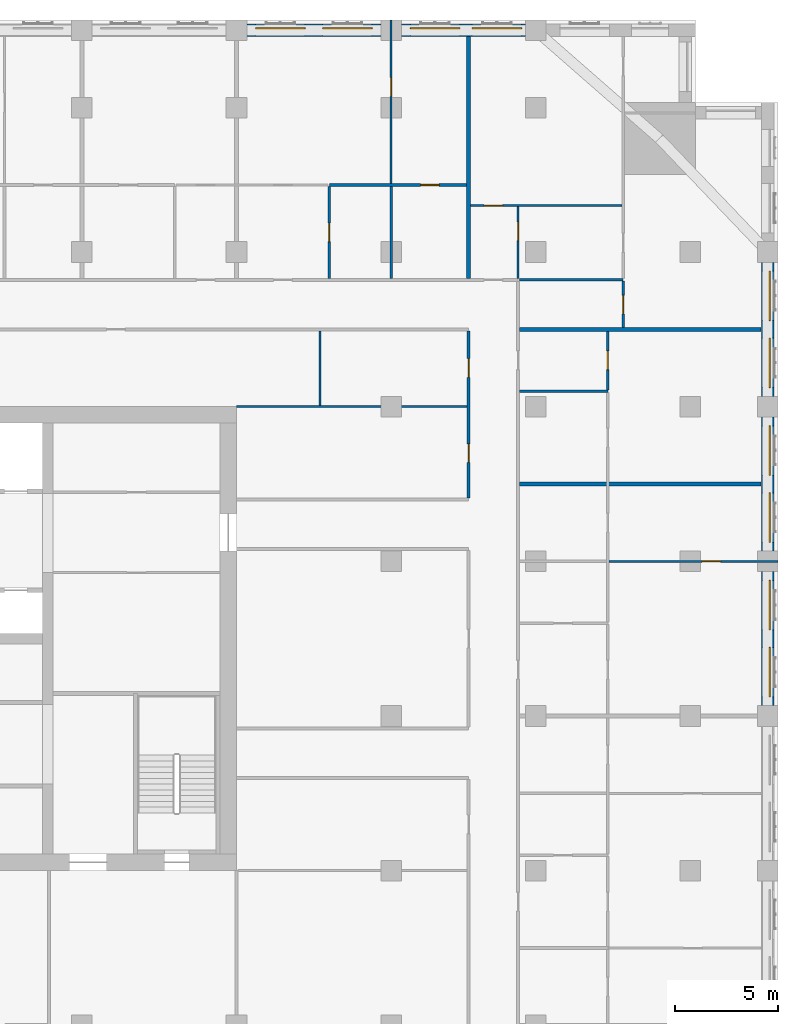
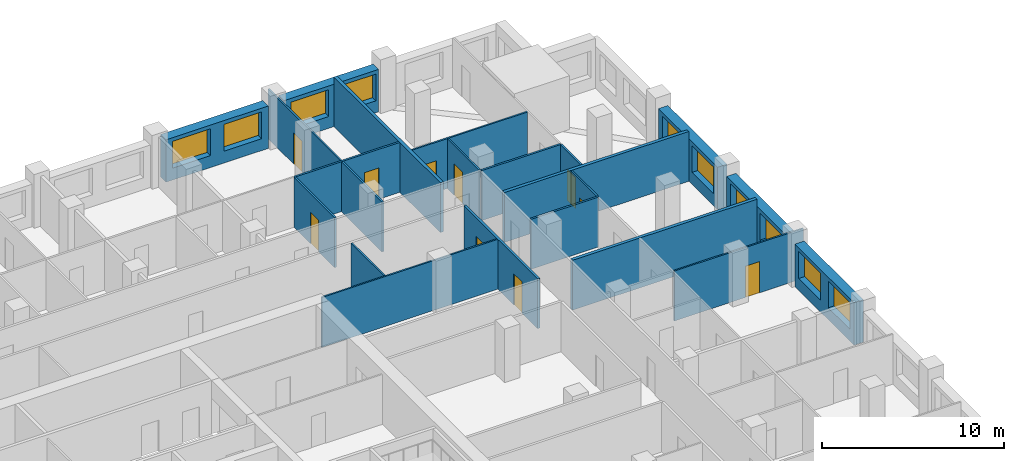
# One storey, part 10 of 13: 22 walls, 10 doors, 10 windows, 20 openings.
"""IFC4 building model written with IfcOpenShell, lengths in metres."""

from ifc_helpers import new_model, si_unit, direction, frame, frame_2d, origin, place, context, subcontext, project, spatial, rectangle, extrude, material, layer, layer_set, type_object, element, fill, save


model = new_model("IFC4")

# Units and contexts
model_context = context("Model", 3, precision=1e-05, world=origin(), true_north=direction((0.0, 1.0)))
body_context = subcontext(model_context, "Body", "Model", "MODEL_VIEW")
ifc_project = project(units=[si_unit("LENGTHUNIT", "METRE"), si_unit("AREAUNIT", "SQUARE_METRE"), si_unit("VOLUMEUNIT", "CUBIC_METRE"), si_unit("PLANEANGLEUNIT", "RADIAN"), si_unit("MASSUNIT", "GRAM", prefix="KILO")], contexts=[model_context])

# Site, building, storey
site_placement = place(None, origin())
site = spatial("IfcSite", under=ifc_project, at=site_placement, CompositionType="ELEMENT")
building_placement = place(site_placement, origin())
building = spatial("IfcBuilding", under=site, at=building_placement, Name="Tamorin Gate", CompositionType="ELEMENT")
storey_placement = place(building_placement, frame((0.0, 0.0, 159.0)))
storey = spatial("IfcBuildingStorey", under=building, at=storey_placement, Name="L39", CompositionType="ELEMENT", Elevation=159.0)

# Wall, openings, windows
ifc_material_1 = material(Name="Precast concrete C40/50", Category="concrete")
ifc_layer_1 = layer(ifc_material_1, 0.60009765625)
ifc_layer_set_1 = layer_set([ifc_layer_1], Name="Precast concrete C40/50")
wall_type_1 = type_object("IfcWallType", Name="Board-marked concrete facade panel 600", PredefinedType="SOLIDWALL", material=ifc_layer_set_1)
wall_1_placement = place(storey_placement, frame((85.75, 68.0, 0.0), z_axis=(0.0, 0.0, 1.0), x_axis=(0.0, 1.0, 0.0)))
wall_1 = element("IfcWall", 1, at=wall_1_placement, inside=storey, type_object=wall_type_1, Name="Facade panel", PredefinedType="SOLIDWALL", context=body_context, shape_type="SweptSolid", body=[
    extrude(rectangle(XDim=6.5, YDim=0.60009765625, at=frame_2d((3.25, 0.0))), origin(), (0.0, 0.0, 1.0), 2.85009765625),
])
opening_1_placement = place(wall_1_placement, frame((0.425048828125, 0.0, 0.800048828125)))
opening_1 = element("IfcOpeningElement", 2, at=opening_1_placement, cuts=wall_1, Name="Opening WN1", PredefinedType="OPENING", context=body_context, shape_type="SweptSolid", body=[
    extrude(rectangle(XDim=2.39990234375, YDim=1.800048828125, at=frame_2d((1.199951171875, 0.89990234375))), frame((0.0, 0.31005859375, 0.0), z_axis=(0.0, -1.0, 0.0), x_axis=(1.0, 0.0, 0.0)), (0.0, 0.0, 1.0), 0.6201171875),
])
opening_2_placement = place(wall_1_placement, frame((3.675048828125, 0.0, 0.800048828125)))
opening_2 = element("IfcOpeningElement", 3, at=opening_2_placement, cuts=wall_1, Name="Opening WN1", PredefinedType="OPENING", context=body_context, shape_type="SweptSolid", body=[
    extrude(rectangle(XDim=2.39990234375, YDim=1.800048828125, at=frame_2d((1.199951171875, 0.89990234375))), frame((0.0, 0.31005859375, 0.0), z_axis=(0.0, -1.0, 0.0), x_axis=(1.0, 0.0, 0.0)), (0.0, 0.0, 1.0), 0.6201171875),
])
ifc_material_2 = material(Name="Clear glass in aluminium frame", Category="aluminium")
window_type = type_object("IfcWindowType", Name="Deep-set window 2400x1800", PartitioningType="SINGLE_PANEL", PredefinedType="WINDOW", material=ifc_material_2)
window_1_placement = place(opening_1_placement, origin())
window_1 = element("IfcWindow", 4, at=window_1_placement, inside=storey, type_object=window_type, Name="Deep-set window", OverallHeight=1.800048828125, OverallWidth=2.39990234375, PartitioningType="SINGLE_PANEL", PredefinedType="WINDOW", context=body_context, shape_type="SweptSolid", body=[
    extrude(rectangle(XDim=2.39990234375, YDim=1.800048828125, at=frame_2d((1.199951171875, 0.89990234375))), frame((0.0, -0.070068359375, 0.0), z_axis=(0.0, -1.0, 0.0), x_axis=(1.0, 0.0, 0.0)), (0.0, 0.0, 1.0), 0.06005859375),
])
fill(opening_1, window_1)
window_2_placement = place(opening_2_placement, origin())
window_2 = element("IfcWindow", 5, at=window_2_placement, inside=storey, type_object=window_type, Name="Deep-set window", OverallHeight=1.800048828125, OverallWidth=2.39990234375, PartitioningType="SINGLE_PANEL", PredefinedType="WINDOW", context=body_context, shape_type="SweptSolid", body=[
    extrude(rectangle(XDim=2.39990234375, YDim=1.800048828125, at=frame_2d((1.199951171875, 0.89990234375))), frame((0.0, -0.070068359375, 0.0), z_axis=(0.0, -1.0, 0.0), x_axis=(1.0, 0.0, 0.0)), (0.0, 0.0, 1.0), 0.06005859375),
])
fill(opening_2, window_2)

wall_2_placement = place(storey_placement, frame((85.75, 75.5, 0.0), z_axis=(0.0, 0.0, 1.0), x_axis=(0.0, 1.0, 0.0)))
wall_2 = element("IfcWall", 6, at=wall_2_placement, inside=storey, type_object=wall_type_1, Name="Facade panel", PredefinedType="SOLIDWALL", context=body_context, shape_type="SweptSolid", body=[
    extrude(rectangle(XDim=6.5, YDim=0.60009765625, at=frame_2d((3.25, 0.0))), origin(), (0.0, 0.0, 1.0), 2.85009765625),
])
opening_3_placement = place(wall_2_placement, frame((0.425048828125, 0.0, 0.800048828125)))
opening_3 = element("IfcOpeningElement", 7, at=opening_3_placement, cuts=wall_2, Name="Opening WN1", PredefinedType="OPENING", context=body_context, shape_type="SweptSolid", body=[
    extrude(rectangle(XDim=2.39990234375, YDim=1.800048828125, at=frame_2d((1.199951171875, 0.89990234375))), frame((0.0, 0.31005859375, 0.0), z_axis=(0.0, -1.0, 0.0), x_axis=(1.0, 0.0, 0.0)), (0.0, 0.0, 1.0), 0.6201171875),
])
opening_4_placement = place(wall_2_placement, frame((3.675048828125, 0.0, 0.800048828125)))
opening_4 = element("IfcOpeningElement", 8, at=opening_4_placement, cuts=wall_2, Name="Opening WN1", PredefinedType="OPENING", context=body_context, shape_type="SweptSolid", body=[
    extrude(rectangle(XDim=2.39990234375, YDim=1.800048828125, at=frame_2d((1.199951171875, 0.89990234375))), frame((0.0, 0.31005859375, 0.0), z_axis=(0.0, -1.0, 0.0), x_axis=(1.0, 0.0, 0.0)), (0.0, 0.0, 1.0), 0.6201171875),
])
window_3_placement = place(opening_3_placement, origin())
window_3 = element("IfcWindow", 9, at=window_3_placement, inside=storey, type_object=window_type, Name="Deep-set window", OverallHeight=1.800048828125, OverallWidth=2.39990234375, PartitioningType="SINGLE_PANEL", PredefinedType="WINDOW", context=body_context, shape_type="SweptSolid", body=[
    extrude(rectangle(XDim=2.39990234375, YDim=1.800048828125, at=frame_2d((1.199951171875, 0.89990234375))), frame((0.0, -0.070068359375, 0.0), z_axis=(0.0, -1.0, 0.0), x_axis=(1.0, 0.0, 0.0)), (0.0, 0.0, 1.0), 0.06005859375),
])
fill(opening_3, window_3)
window_4_placement = place(opening_4_placement, origin())
window_4 = element("IfcWindow", 10, at=window_4_placement, inside=storey, type_object=window_type, Name="Deep-set window", OverallHeight=1.800048828125, OverallWidth=2.39990234375, PartitioningType="SINGLE_PANEL", PredefinedType="WINDOW", context=body_context, shape_type="SweptSolid", body=[
    extrude(rectangle(XDim=2.39990234375, YDim=1.800048828125, at=frame_2d((1.199951171875, 0.89990234375))), frame((0.0, -0.070068359375, 0.0), z_axis=(0.0, -1.0, 0.0), x_axis=(1.0, 0.0, 0.0)), (0.0, 0.0, 1.0), 0.06005859375),
])
fill(opening_4, window_4)

wall_3_placement = place(storey_placement, frame((85.75, 83.0, 0.0), z_axis=(0.0, 0.0, 1.0), x_axis=(0.0, 1.0, 0.0)))
wall_3 = element("IfcWall", 11, at=wall_3_placement, inside=storey, type_object=wall_type_1, Name="Facade panel", PredefinedType="SOLIDWALL", context=body_context, shape_type="SweptSolid", body=[
    extrude(rectangle(XDim=6.5, YDim=0.60009765625, at=frame_2d((3.25, 0.0))), origin(), (0.0, 0.0, 1.0), 2.85009765625),
])
opening_5_placement = place(wall_3_placement, frame((0.425048828125, 0.0, 0.800048828125)))
opening_5 = element("IfcOpeningElement", 12, at=opening_5_placement, cuts=wall_3, Name="Opening WN1", PredefinedType="OPENING", context=body_context, shape_type="SweptSolid", body=[
    extrude(rectangle(XDim=2.39990234375, YDim=1.800048828125, at=frame_2d((1.199951171875, 0.89990234375))), frame((0.0, 0.31005859375, 0.0), z_axis=(0.0, -1.0, 0.0), x_axis=(1.0, 0.0, 0.0)), (0.0, 0.0, 1.0), 0.6201171875),
])
opening_6_placement = place(wall_3_placement, frame((3.675048828125, 0.0, 0.800048828125)))
opening_6 = element("IfcOpeningElement", 13, at=opening_6_placement, cuts=wall_3, Name="Opening WN1", PredefinedType="OPENING", context=body_context, shape_type="SweptSolid", body=[
    extrude(rectangle(XDim=2.39990234375, YDim=1.800048828125, at=frame_2d((1.199951171875, 0.89990234375))), frame((0.0, 0.31005859375, 0.0), z_axis=(0.0, -1.0, 0.0), x_axis=(1.0, 0.0, 0.0)), (0.0, 0.0, 1.0), 0.6201171875),
])
window_5_placement = place(opening_5_placement, origin())
window_5 = element("IfcWindow", 14, at=window_5_placement, inside=storey, type_object=window_type, Name="Deep-set window", OverallHeight=1.800048828125, OverallWidth=2.39990234375, PartitioningType="SINGLE_PANEL", PredefinedType="WINDOW", context=body_context, shape_type="SweptSolid", body=[
    extrude(rectangle(XDim=2.39990234375, YDim=1.800048828125, at=frame_2d((1.199951171875, 0.89990234375))), frame((0.0, -0.070068359375, 0.0), z_axis=(0.0, -1.0, 0.0), x_axis=(1.0, 0.0, 0.0)), (0.0, 0.0, 1.0), 0.06005859375),
])
fill(opening_5, window_5)
window_6_placement = place(opening_6_placement, origin())
window_6 = element("IfcWindow", 15, at=window_6_placement, inside=storey, type_object=window_type, Name="Deep-set window", OverallHeight=1.800048828125, OverallWidth=2.39990234375, PartitioningType="SINGLE_PANEL", PredefinedType="WINDOW", context=body_context, shape_type="SweptSolid", body=[
    extrude(rectangle(XDim=2.39990234375, YDim=1.800048828125, at=frame_2d((1.199951171875, 0.89990234375))), frame((0.0, -0.070068359375, 0.0), z_axis=(0.0, -1.0, 0.0), x_axis=(1.0, 0.0, 0.0)), (0.0, 0.0, 1.0), 0.06005859375),
])
fill(opening_6, window_6)

wall_4_placement = place(storey_placement, frame((74.0, 100.75, 0.0), z_axis=(0.0, 0.0, 1.0), x_axis=(-1.0, 0.0, 0.0)))
wall_4 = element("IfcWall", 16, at=wall_4_placement, inside=storey, type_object=wall_type_1, Name="Facade panel", PredefinedType="SOLIDWALL", context=body_context, shape_type="SweptSolid", body=[
    extrude(rectangle(XDim=6.0, YDim=0.60009765625, at=frame_2d((3.0, 0.0))), origin(), (0.0, 0.0, 1.0), 2.85009765625),
])
opening_7_placement = place(wall_4_placement, frame((3.175048828125, 0.0, 0.800048828125)))
opening_7 = element("IfcOpeningElement", 17, at=opening_7_placement, cuts=wall_4, Name="Opening WN1", PredefinedType="OPENING", context=body_context, shape_type="SweptSolid", body=[
    extrude(rectangle(XDim=2.39990234375, YDim=1.800048828125, at=frame_2d((1.199951171875, 0.89990234375))), frame((0.0, 0.31005859375, 0.0), z_axis=(0.0, -1.0, 0.0), x_axis=(1.0, 0.0, 0.0)), (0.0, 0.0, 1.0), 0.6201171875),
])
opening_8_placement = place(wall_4_placement, frame((0.175048828125, 0.0, 0.800048828125)))
opening_8 = element("IfcOpeningElement", 18, at=opening_8_placement, cuts=wall_4, Name="Opening WN1", PredefinedType="OPENING", context=body_context, shape_type="SweptSolid", body=[
    extrude(rectangle(XDim=2.39990234375, YDim=1.800048828125, at=frame_2d((1.199951171875, 0.89990234375))), frame((0.0, 0.31005859375, 0.0), z_axis=(0.0, -1.0, 0.0), x_axis=(1.0, 0.0, 0.0)), (0.0, 0.0, 1.0), 0.6201171875),
])
window_7_placement = place(opening_7_placement, origin())
window_7 = element("IfcWindow", 19, at=window_7_placement, inside=storey, type_object=window_type, Name="Deep-set window", OverallHeight=1.800048828125, OverallWidth=2.39990234375, PartitioningType="SINGLE_PANEL", PredefinedType="WINDOW", context=body_context, shape_type="SweptSolid", body=[
    extrude(rectangle(XDim=2.39990234375, YDim=1.800048828125, at=frame_2d((1.199951171875, 0.89990234375))), frame((0.0, -0.070068359375, 0.0), z_axis=(0.0, -1.0, 0.0), x_axis=(1.0, 0.0, 0.0)), (0.0, 0.0, 1.0), 0.06005859375),
])
fill(opening_7, window_7)
window_8_placement = place(opening_8_placement, origin())
window_8 = element("IfcWindow", 20, at=window_8_placement, inside=storey, type_object=window_type, Name="Deep-set window", OverallHeight=1.800048828125, OverallWidth=2.39990234375, PartitioningType="SINGLE_PANEL", PredefinedType="WINDOW", context=body_context, shape_type="SweptSolid", body=[
    extrude(rectangle(XDim=2.39990234375, YDim=1.800048828125, at=frame_2d((1.199951171875, 0.89990234375))), frame((0.0, -0.070068359375, 0.0), z_axis=(0.0, -1.0, 0.0), x_axis=(1.0, 0.0, 0.0)), (0.0, 0.0, 1.0), 0.06005859375),
])
fill(opening_8, window_8)

wall_5_placement = place(storey_placement, frame((67.0, 100.75, 0.0), z_axis=(0.0, 0.0, 1.0), x_axis=(-1.0, 0.0, 0.0)))
wall_5 = element("IfcWall", 21, at=wall_5_placement, inside=storey, type_object=wall_type_1, Name="Facade panel", PredefinedType="SOLIDWALL", context=body_context, shape_type="SweptSolid", body=[
    extrude(rectangle(XDim=6.5, YDim=0.60009765625, at=frame_2d((3.25, 0.0))), origin(), (0.0, 0.0, 1.0), 2.85009765625),
])
opening_9_placement = place(wall_5_placement, frame((3.675048828125, 0.0, 0.800048828125)))
opening_9 = element("IfcOpeningElement", 22, at=opening_9_placement, cuts=wall_5, Name="Opening WN1", PredefinedType="OPENING", context=body_context, shape_type="SweptSolid", body=[
    extrude(rectangle(XDim=2.39990234375, YDim=1.800048828125, at=frame_2d((1.199951171875, 0.89990234375))), frame((0.0, 0.31005859375, 0.0), z_axis=(0.0, -1.0, 0.0), x_axis=(1.0, 0.0, 0.0)), (0.0, 0.0, 1.0), 0.6201171875),
])
opening_10_placement = place(wall_5_placement, frame((0.425048828125, 0.0, 0.800048828125)))
opening_10 = element("IfcOpeningElement", 23, at=opening_10_placement, cuts=wall_5, Name="Opening WN1", PredefinedType="OPENING", context=body_context, shape_type="SweptSolid", body=[
    extrude(rectangle(XDim=2.39990234375, YDim=1.800048828125, at=frame_2d((1.199951171875, 0.89990234375))), frame((0.0, 0.31005859375, 0.0), z_axis=(0.0, -1.0, 0.0), x_axis=(1.0, 0.0, 0.0)), (0.0, 0.0, 1.0), 0.6201171875),
])
window_9_placement = place(opening_9_placement, origin())
window_9 = element("IfcWindow", 24, at=window_9_placement, inside=storey, type_object=window_type, Name="Deep-set window", OverallHeight=1.800048828125, OverallWidth=2.39990234375, PartitioningType="SINGLE_PANEL", PredefinedType="WINDOW", context=body_context, shape_type="SweptSolid", body=[
    extrude(rectangle(XDim=2.39990234375, YDim=1.800048828125, at=frame_2d((1.199951171875, 0.89990234375))), frame((0.0, -0.070068359375, 0.0), z_axis=(0.0, -1.0, 0.0), x_axis=(1.0, 0.0, 0.0)), (0.0, 0.0, 1.0), 0.06005859375),
])
fill(opening_9, window_9)
window_10_placement = place(opening_10_placement, origin())
window_10 = element("IfcWindow", 25, at=window_10_placement, inside=storey, type_object=window_type, Name="Deep-set window", OverallHeight=1.800048828125, OverallWidth=2.39990234375, PartitioningType="SINGLE_PANEL", PredefinedType="WINDOW", context=body_context, shape_type="SweptSolid", body=[
    extrude(rectangle(XDim=2.39990234375, YDim=1.800048828125, at=frame_2d((1.199951171875, 0.89990234375))), frame((0.0, -0.070068359375, 0.0), z_axis=(0.0, -1.0, 0.0), x_axis=(1.0, 0.0, 0.0)), (0.0, 0.0, 1.0), 0.06005859375),
])
fill(opening_10, window_10)

# Wall, openings, doors
ifc_material_3 = material(Name="Gypsum board partition")
ifc_layer_2 = layer(ifc_material_3, 0.14990234375)
ifc_layer_set_2 = layer_set([ifc_layer_2], Name="Corridor wall 150")
wall_type_2 = type_object("IfcWallType", Name="Corridor wall 150", PredefinedType="PARTITIONING", material=ifc_layer_set_2)
wall_6_placement = place(storey_placement, frame((71.25, 78.074951171875, 0.0), z_axis=(0.0, 0.0, 1.0), x_axis=(0.0, 1.0, 0.0)))
wall_6 = element("IfcWall", 26, at=wall_6_placement, inside=storey, type_object=wall_type_2, Name="Corridor wall 150", PredefinedType="PARTITIONING", context=body_context, shape_type="SweptSolid", body=[
    extrude(rectangle(XDim=8.10009765625, YDim=0.14990234375, at=frame_2d((4.050048828125, 0.0))), origin(), (0.0, 0.0, 1.0), 3.35009765625),
])
opening_11_placement = place(wall_6_placement, frame((5.85009765625, 0.0, 0.0)))
opening_11 = element("IfcOpeningElement", 27, at=opening_11_placement, cuts=wall_6, Name="Opening DS1069", PredefinedType="OPENING", context=body_context, shape_type="SweptSolid", body=[
    extrude(rectangle(XDim=0.89990234375, YDim=2.10009765625, at=frame_2d((0.449951171875, 1.050048828125))), frame((0.0, 0.0849609375, 0.0), z_axis=(0.0, -1.0, 0.0), x_axis=(1.0, 0.0, 0.0)), (0.0, 0.0, 1.0), 0.169921875),
])
opening_12_placement = place(wall_6_placement, frame((1.72509765625, 0.0, 0.0)))
opening_12 = element("IfcOpeningElement", 28, at=opening_12_placement, cuts=wall_6, Name="Opening DS1072", PredefinedType="OPENING", context=body_context, shape_type="SweptSolid", body=[
    extrude(rectangle(XDim=0.89990234375, YDim=2.10009765625, at=frame_2d((0.449951171875, 1.050048828125))), frame((0.0, 0.0849609375, 0.0), z_axis=(0.0, -1.0, 0.0), x_axis=(1.0, 0.0, 0.0)), (0.0, 0.0, 1.0), 0.169921875),
])
ifc_material_4 = material(Name="Timber door leaf", Category="wood")
door_type_1 = type_object("IfcDoorType", Name="Door 900 x 2100 FD30S", OperationType="NOTDEFINED", PredefinedType="DOOR", material=ifc_material_4)
door_1_placement = place(opening_11_placement, origin())
door_1 = element("IfcDoor", 29, at=door_1_placement, inside=storey, type_object=door_type_1, Name="Door DS1069", OperationType="SINGLE_SWING_LEFT", OverallHeight=2.10009765625, OverallWidth=0.89990234375, PredefinedType="DOOR", context=body_context, shape_type="SweptSolid", body=[
    extrude(rectangle(XDim=0.89990234375, YDim=2.10009765625, at=frame_2d((0.449951171875, 1.050048828125))), frame((0.0, 0.02490234375, 0.0), z_axis=(0.0, -1.0, 0.0), x_axis=(1.0, 0.0, 0.0)), (0.0, 0.0, 1.0), 0.050048828125),
])
fill(opening_11, door_1)
door_2_placement = place(opening_12_placement, origin())
door_2 = element("IfcDoor", 30, at=door_2_placement, inside=storey, type_object=door_type_1, Name="Door DS1072", OperationType="SINGLE_SWING_LEFT", OverallHeight=2.10009765625, OverallWidth=0.89990234375, PredefinedType="DOOR", context=body_context, shape_type="SweptSolid", body=[
    extrude(rectangle(XDim=0.89990234375, YDim=2.10009765625, at=frame_2d((0.449951171875, 1.050048828125))), frame((0.0, 0.02490234375, 0.0), z_axis=(0.0, -1.0, 0.0), x_axis=(1.0, 0.0, 0.0)), (0.0, 0.0, 1.0), 0.050048828125),
])
fill(opening_12, door_2)

# Walls
ifc_layer_3 = layer(ifc_material_3, 0.199951171875)
ifc_layer_set_3 = layer_set([ifc_layer_3], Name="Demising wall 200")
wall_type_3 = type_object("IfcWallType", Name="Demising wall 200", PredefinedType="PARTITIONING", material=ifc_layer_set_3)
for number, where, z_axis, x_axis, name in (
    (31, (73.72509765625, 78.75, 0.0), (0.0, 0.0, 1.0), (1.0, 0.0, 0.0), "Demising wall 200"),
    (32, (73.72509765625, 86.25, 0.0), (0.0, 0.0, 1.0), (1.0, 0.0, 0.0), "Demising wall 200"),
    (33, (71.25, 88.72509765625, 0.0), (0.0, 0.0, 1.0), (0.0, 1.0, 0.0), "Demising wall 200"),
):
    element("IfcWall", number, at=place(storey_placement, frame(where, z_axis=z_axis, x_axis=x_axis)), inside=storey, type_object=wall_type_3, Name=name, PredefinedType="PARTITIONING", context=body_context, shape_type="SweptSolid", body=[
        extrude(rectangle(XDim=11.71484375, YDim=0.199951171875, at=frame_2d((5.857421875, 0.0))), origin(), (0.0, 0.0, 1.0), 3.35009765625),
    ])

# Wall, opening, door
ifc_layer_4 = layer(ifc_material_3, 0.10009765625)
ifc_layer_set_4 = layer_set([ifc_layer_4], Name="Room partition 100")
wall_type_4 = type_object("IfcWallType", Name="Room partition 100", PredefinedType="PARTITIONING", material=ifc_layer_set_4)
wall_7_placement = place(storey_placement, frame((78.0625, 75.0, 0.0), z_axis=(0.0, 0.0, 1.0), x_axis=(1.0, 0.0, 0.0)))
wall_7 = element("IfcWall", 34, at=wall_7_placement, inside=storey, type_object=wall_type_4, Name="Room partition 100", PredefinedType="PARTITIONING", context=body_context, shape_type="SweptSolid", body=[
    extrude(rectangle(XDim=8.1875, YDim=0.10009765625, at=frame_2d((4.09375, 0.0))), origin(), (0.0, 0.0, 1.0), 3.35009765625),
])
opening_13_placement = place(wall_7_placement, frame((4.512451171875, 0.0, 0.0)))
opening_13 = element("IfcOpeningElement", 35, at=opening_13_placement, cuts=wall_7, Name="Opening DS1047", PredefinedType="OPENING", context=body_context, shape_type="SweptSolid", body=[
    extrude(rectangle(XDim=0.89990234375, YDim=2.10009765625, at=frame_2d((0.449951171875, 1.050048828125))), frame((0.0, 0.06005859375, 0.0), z_axis=(0.0, -1.0, 0.0), x_axis=(1.0, 0.0, 0.0)), (0.0, 0.0, 1.0), 0.1201171875),
])
door_type_2 = type_object("IfcDoorType", Name="Door 900 x 2100", OperationType="NOTDEFINED", PredefinedType="DOOR", material=ifc_material_4)
door_3_placement = place(opening_13_placement, origin())
door_3 = element("IfcDoor", 36, at=door_3_placement, inside=storey, type_object=door_type_2, Name="Door DS1047", OperationType="SINGLE_SWING_LEFT", OverallHeight=2.10009765625, OverallWidth=0.89990234375, PredefinedType="DOOR", context=body_context, shape_type="SweptSolid", body=[
    extrude(rectangle(XDim=0.89990234375, YDim=2.10009765625, at=frame_2d((0.449951171875, 1.050048828125))), frame((0.0, 0.02490234375, 0.0), z_axis=(0.0, -1.0, 0.0), x_axis=(1.0, 0.0, 0.0)), (0.0, 0.0, 1.0), 0.050048828125),
])
fill(opening_13, door_3)

# Wall
wall_8_placement = place(storey_placement, frame((60.0, 82.5, 0.0), z_axis=(0.0, 0.0, 1.0), x_axis=(1.0, 0.0, 0.0)))
element("IfcWall", 37, at=wall_8_placement, inside=storey, type_object=wall_type_4, Name="Room partition 100", PredefinedType="PARTITIONING", context=body_context, shape_type="SweptSolid", body=[
    extrude(rectangle(XDim=11.175048828125, YDim=0.10009765625, at=frame_2d((5.58740234375, 0.0))), origin(), (0.0, 0.0, 1.0), 3.35009765625),
])

# Wall, opening, door
wall_9_placement = place(storey_placement, frame((71.35009765625, 92.25, 0.0), z_axis=(0.0, 0.0, 1.0), x_axis=(1.0, 0.0, 0.0)))
wall_9 = element("IfcWall", 38, at=wall_9_placement, inside=storey, type_object=wall_type_4, Name="Room partition 100", PredefinedType="PARTITIONING", context=body_context, shape_type="SweptSolid", body=[
    extrude(rectangle(XDim=7.349853515625, YDim=0.10009765625, at=frame_2d((3.6748046875, 0.0))), origin(), (0.0, 0.0, 1.0), 3.35009765625),
])
opening_14_placement = place(wall_9_placement, frame((0.64990234375, 0.0, 0.0)))
opening_14 = element("IfcOpeningElement", 39, at=opening_14_placement, cuts=wall_9, Name="Opening DS1058", PredefinedType="OPENING", context=body_context, shape_type="SweptSolid", body=[
    extrude(rectangle(XDim=0.89990234375, YDim=2.10009765625, at=frame_2d((0.449951171875, 1.050048828125))), frame((0.0, 0.06005859375, 0.0), z_axis=(0.0, -1.0, 0.0), x_axis=(1.0, 0.0, 0.0)), (0.0, 0.0, 1.0), 0.1201171875),
])
door_4_placement = place(opening_14_placement, origin())
door_4 = element("IfcDoor", 40, at=door_4_placement, inside=storey, type_object=door_type_2, Name="Door DS1058", OperationType="SINGLE_SWING_LEFT", OverallHeight=2.10009765625, OverallWidth=0.89990234375, PredefinedType="DOOR", context=body_context, shape_type="SweptSolid", body=[
    extrude(rectangle(XDim=0.89990234375, YDim=2.10009765625, at=frame_2d((0.449951171875, 1.050048828125))), frame((0.0, 0.02490234375, 0.0), z_axis=(0.0, -1.0, 0.0), x_axis=(1.0, 0.0, 0.0)), (0.0, 0.0, 1.0), 0.050048828125),
])
fill(opening_14, door_4)

# Wall
wall_10_placement = place(storey_placement, frame((64.050048828125, 82.550048828125, 0.0), z_axis=(0.0, 0.0, 1.0), x_axis=(0.0, 1.0, 0.0)))
element("IfcWall", 41, at=wall_10_placement, inside=storey, type_object=wall_type_4, Name="Room partition 100", PredefinedType="PARTITIONING", context=body_context, shape_type="SweptSolid", body=[
    extrude(rectangle(XDim=3.625, YDim=0.10009765625, at=frame_2d((1.8125, 0.0))), origin(), (0.0, 0.0, 1.0), 3.35009765625),
])

# Wall, opening, door
wall_11_placement = place(storey_placement, frame((67.5, 93.3125, 0.0), z_axis=(0.0, 0.0, 1.0), x_axis=(0.0, 1.0, 0.0)))
wall_11 = element("IfcWall", 42, at=wall_11_placement, inside=storey, type_object=wall_type_4, Name="Room partition 100", PredefinedType="PARTITIONING", context=body_context, shape_type="SweptSolid", body=[
    extrude(rectangle(XDim=7.9375, YDim=0.10009765625, at=frame_2d((3.96875, 0.0))), origin(), (0.0, 0.0, 1.0), 3.35009765625),
])
opening_15_placement = place(wall_11_placement, frame((4.237548828125, 0.0, 0.0)))
opening_15 = element("IfcOpeningElement", 43, at=opening_15_placement, cuts=wall_11, Name="Opening DS1035", PredefinedType="OPENING", context=body_context, shape_type="SweptSolid", body=[
    extrude(rectangle(XDim=0.89990234375, YDim=2.10009765625, at=frame_2d((0.449951171875, 1.050048828125))), frame((0.0, 0.06005859375, 0.0), z_axis=(0.0, -1.0, 0.0), x_axis=(1.0, 0.0, 0.0)), (0.0, 0.0, 1.0), 0.1201171875),
])
door_5_placement = place(opening_15_placement, origin())
door_5 = element("IfcDoor", 44, at=door_5_placement, inside=storey, type_object=door_type_2, Name="Door DS1035", OperationType="SINGLE_SWING_RIGHT", OverallHeight=2.10009765625, OverallWidth=0.89990234375, PredefinedType="DOOR", context=body_context, shape_type="SweptSolid", body=[
    extrude(rectangle(XDim=0.89990234375, YDim=2.10009765625, at=frame_2d((0.449951171875, 1.050048828125))), frame((0.0, 0.02490234375, 0.0), z_axis=(0.0, -1.0, 0.0), x_axis=(1.0, 0.0, 0.0)), (0.0, 0.0, 1.0), 0.050048828125),
])
fill(opening_15, door_5)

wall_12_placement = place(storey_placement, frame((73.64990234375, 88.72509765625, 0.0), z_axis=(0.0, 0.0, 1.0), x_axis=(0.0, 1.0, 0.0)))
wall_12 = element("IfcWall", 45, at=wall_12_placement, inside=storey, type_object=wall_type_4, Name="Room partition 100", PredefinedType="PARTITIONING", context=body_context, shape_type="SweptSolid", body=[
    extrude(rectangle(XDim=3.474853515625, YDim=0.10009765625, at=frame_2d((1.7373046875, 0.0))), origin(), (0.0, 0.0, 1.0), 3.35009765625),
])
opening_16_placement = place(wall_12_placement, frame((1.824951171875, 0.0, 0.0)))
opening_16 = element("IfcOpeningElement", 46, at=opening_16_placement, cuts=wall_12, Name="Opening DS1059", PredefinedType="OPENING", context=body_context, shape_type="SweptSolid", body=[
    extrude(rectangle(XDim=0.89990234375, YDim=2.10009765625, at=frame_2d((0.449951171875, 1.050048828125))), frame((0.0, 0.06005859375, 0.0), z_axis=(0.0, -1.0, 0.0), x_axis=(1.0, 0.0, 0.0)), (0.0, 0.0, 1.0), 0.1201171875),
])
door_6_placement = place(opening_16_placement, origin())
door_6 = element("IfcDoor", 47, at=door_6_placement, inside=storey, type_object=door_type_2, Name="Door DS1059", OperationType="SINGLE_SWING_RIGHT", OverallHeight=2.10009765625, OverallWidth=0.89990234375, PredefinedType="DOOR", context=body_context, shape_type="SweptSolid", body=[
    extrude(rectangle(XDim=0.89990234375, YDim=2.10009765625, at=frame_2d((0.449951171875, 1.050048828125))), frame((0.0, 0.02490234375, 0.0), z_axis=(0.0, -1.0, 0.0), x_axis=(1.0, 0.0, 0.0)), (0.0, 0.0, 1.0), 0.050048828125),
])
fill(opening_16, door_6)

wall_13_placement = place(storey_placement, frame((78.0, 83.3125, 0.0), z_axis=(0.0, 0.0, 1.0), x_axis=(0.0, 1.0, 0.0)))
wall_13 = element("IfcWall", 48, at=wall_13_placement, inside=storey, type_object=wall_type_4, Name="Room partition 100", PredefinedType="PARTITIONING", context=body_context, shape_type="SweptSolid", body=[
    extrude(rectangle(XDim=2.83740234375, YDim=0.10009765625, at=frame_2d((1.418701171875, 0.0))), origin(), (0.0, 0.0, 1.0), 3.35009765625),
])
opening_17_placement = place(wall_13_placement, frame((0.987548828125, 0.0, 0.0)))
opening_17 = element("IfcOpeningElement", 49, at=opening_17_placement, cuts=wall_13, Name="Opening DS1050", PredefinedType="OPENING", context=body_context, shape_type="SweptSolid", body=[
    extrude(rectangle(XDim=0.89990234375, YDim=2.10009765625, at=frame_2d((0.449951171875, 1.050048828125))), frame((0.0, 0.06005859375, 0.0), z_axis=(0.0, -1.0, 0.0), x_axis=(1.0, 0.0, 0.0)), (0.0, 0.0, 1.0), 0.1201171875),
])
door_7_placement = place(opening_17_placement, origin())
door_7 = element("IfcDoor", 50, at=door_7_placement, inside=storey, type_object=door_type_2, Name="Door DS1050", OperationType="SINGLE_SWING_LEFT", OverallHeight=2.10009765625, OverallWidth=0.89990234375, PredefinedType="DOOR", context=body_context, shape_type="SweptSolid", body=[
    extrude(rectangle(XDim=0.89990234375, YDim=2.10009765625, at=frame_2d((0.449951171875, 1.050048828125))), frame((0.0, 0.02490234375, 0.0), z_axis=(0.0, -1.0, 0.0), x_axis=(1.0, 0.0, 0.0)), (0.0, 0.0, 1.0), 0.050048828125),
])
fill(opening_17, door_7)

# Walls
ifc_layer_5 = layer(ifc_material_3, 0.125)
ifc_layer_set_5 = layer_set([ifc_layer_5], Name="Wet wall 125")
wall_type_5 = type_object("IfcWallType", Name="Wet wall 125", PredefinedType="PARTITIONING", material=ifc_layer_set_5)
wall_14_placement = place(storey_placement, frame((73.72509765625, 83.25, 0.0), z_axis=(0.0, 0.0, 1.0), x_axis=(1.0, 0.0, 0.0)))
element("IfcWall", 51, at=wall_14_placement, inside=storey, type_object=wall_type_5, Name="Wet wall 125", PredefinedType="PARTITIONING", context=body_context, shape_type="SweptSolid", body=[
    extrude(rectangle(XDim=4.27490234375, YDim=0.125, at=frame_2d((2.137451171875, 0.0))), origin(), (0.0, 0.0, 1.0), 3.35009765625),
])
wall_15_placement = place(storey_placement, frame((73.72509765625, 88.64990234375, 0.0), z_axis=(0.0, 0.0, 1.0), x_axis=(1.0, 0.0, 0.0)))
element("IfcWall", 52, at=wall_15_placement, inside=storey, type_object=wall_type_5, Name="Wet wall 125", PredefinedType="PARTITIONING", context=body_context, shape_type="SweptSolid", body=[
    extrude(rectangle(XDim=5.02490234375, YDim=0.125, at=frame_2d((2.512451171875, 0.0))), origin(), (0.0, 0.0, 1.0), 3.35009765625),
])

# Wall, opening, door
wall_16_placement = place(storey_placement, frame((64.5, 93.25, 0.0), z_axis=(0.0, 0.0, 1.0), x_axis=(1.0, 0.0, 0.0)))
wall_16 = element("IfcWall", 53, at=wall_16_placement, inside=storey, type_object=wall_type_5, Name="Wet wall 125", PredefinedType="PARTITIONING", context=body_context, shape_type="SweptSolid", body=[
    extrude(rectangle(XDim=6.64990234375, YDim=0.125, at=frame_2d((3.324951171875, 0.0))), origin(), (0.0, 0.0, 1.0), 3.35009765625),
])
opening_18_placement = place(wall_16_placement, frame((4.425048828125, 0.0, 0.0)))
opening_18 = element("IfcOpeningElement", 54, at=opening_18_placement, cuts=wall_16, Name="Opening DS1034", PredefinedType="OPENING", context=body_context, shape_type="SweptSolid", body=[
    extrude(rectangle(XDim=0.89990234375, YDim=2.10009765625, at=frame_2d((0.449951171875, 1.050048828125))), frame((0.0, 0.072509765625, 0.0), z_axis=(0.0, -1.0, 0.0), x_axis=(1.0, 0.0, 0.0)), (0.0, 0.0, 1.0), 0.14501953125),
])
door_8_placement = place(opening_18_placement, origin())
door_8 = element("IfcDoor", 55, at=door_8_placement, inside=storey, type_object=door_type_2, Name="Door DS1034", OperationType="SINGLE_SWING_RIGHT", OverallHeight=2.10009765625, OverallWidth=0.89990234375, PredefinedType="DOOR", context=body_context, shape_type="SweptSolid", body=[
    extrude(rectangle(XDim=0.89990234375, YDim=2.10009765625, at=frame_2d((0.449951171875, 1.050048828125))), frame((0.0, 0.02490234375, 0.0), z_axis=(0.0, -1.0, 0.0), x_axis=(1.0, 0.0, 0.0)), (0.0, 0.0, 1.0), 0.050048828125),
])
fill(opening_18, door_8)

wall_17_placement = place(storey_placement, frame((64.5, 88.72509765625, 0.0), z_axis=(0.0, 0.0, 1.0), x_axis=(0.0, 1.0, 0.0)))
wall_17 = element("IfcWall", 56, at=wall_17_placement, inside=storey, type_object=wall_type_5, Name="Wet wall 125", PredefinedType="PARTITIONING", context=body_context, shape_type="SweptSolid", body=[
    extrude(rectangle(XDim=4.46240234375, YDim=0.125, at=frame_2d((2.231201171875, 0.0))), origin(), (0.0, 0.0, 1.0), 3.35009765625),
])
opening_19_placement = place(wall_17_placement, frame((1.77490234375, 0.0, 0.0)))
opening_19 = element("IfcOpeningElement", 57, at=opening_19_placement, cuts=wall_17, Name="Opening DS1033", PredefinedType="OPENING", context=body_context, shape_type="SweptSolid", body=[
    extrude(rectangle(XDim=0.89990234375, YDim=2.10009765625, at=frame_2d((0.449951171875, 1.050048828125))), frame((0.0, 0.072509765625, 0.0), z_axis=(0.0, -1.0, 0.0), x_axis=(1.0, 0.0, 0.0)), (0.0, 0.0, 1.0), 0.14501953125),
])
door_9_placement = place(opening_19_placement, origin())
door_9 = element("IfcDoor", 58, at=door_9_placement, inside=storey, type_object=door_type_2, Name="Door DS1033", OperationType="SINGLE_SWING_LEFT", OverallHeight=2.10009765625, OverallWidth=0.89990234375, PredefinedType="DOOR", context=body_context, shape_type="SweptSolid", body=[
    extrude(rectangle(XDim=0.89990234375, YDim=2.10009765625, at=frame_2d((0.449951171875, 1.050048828125))), frame((0.0, 0.02490234375, 0.0), z_axis=(0.0, -1.0, 0.0), x_axis=(1.0, 0.0, 0.0)), (0.0, 0.0, 1.0), 0.050048828125),
])
fill(opening_19, door_9)

# Wall
wall_18_placement = place(storey_placement, frame((67.5, 88.72509765625, 0.0), z_axis=(0.0, 0.0, 1.0), x_axis=(0.0, 1.0, 0.0)))
element("IfcWall", 59, at=wall_18_placement, inside=storey, type_object=wall_type_5, Name="Wet wall 125", PredefinedType="PARTITIONING", context=body_context, shape_type="SweptSolid", body=[
    extrude(rectangle(XDim=4.46240234375, YDim=0.125, at=frame_2d((2.231201171875, 0.0))), origin(), (0.0, 0.0, 1.0), 3.35009765625),
])

# Wall, opening, door
wall_19_placement = place(storey_placement, frame((78.75, 86.35009765625, 0.0), z_axis=(0.0, 0.0, 1.0), x_axis=(0.0, 1.0, 0.0)))
wall_19 = element("IfcWall", 60, at=wall_19_placement, inside=storey, type_object=wall_type_5, Name="Wet wall 125", PredefinedType="PARTITIONING", context=body_context, shape_type="SweptSolid", body=[
    extrude(rectangle(XDim=2.2373046875, YDim=0.125, at=frame_2d((1.11865234375, 0.0))), origin(), (0.0, 0.0, 1.0), 3.35009765625),
])
opening_20_placement = place(wall_19_placement, frame((0.64990234375, 0.0, 0.0)))
opening_20 = element("IfcOpeningElement", 61, at=opening_20_placement, cuts=wall_19, Name="Opening DS1062", PredefinedType="OPENING", context=body_context, shape_type="SweptSolid", body=[
    extrude(rectangle(XDim=0.89990234375, YDim=2.10009765625, at=frame_2d((0.449951171875, 1.050048828125))), frame((0.0, 0.072509765625, 0.0), z_axis=(0.0, -1.0, 0.0), x_axis=(1.0, 0.0, 0.0)), (0.0, 0.0, 1.0), 0.14501953125),
])
door_10_placement = place(opening_20_placement, origin())
door_10 = element("IfcDoor", 62, at=door_10_placement, inside=storey, type_object=door_type_2, Name="Door DS1062", OperationType="SINGLE_SWING_LEFT", OverallHeight=2.10009765625, OverallWidth=0.89990234375, PredefinedType="DOOR", context=body_context, shape_type="SweptSolid", body=[
    extrude(rectangle(XDim=0.89990234375, YDim=2.10009765625, at=frame_2d((0.449951171875, 1.050048828125))), frame((0.0, 0.02490234375, 0.0), z_axis=(0.0, -1.0, 0.0), x_axis=(1.0, 0.0, 0.0)), (0.0, 0.0, 1.0), 0.050048828125),
])
fill(opening_20, door_10)

save(model, "model.ifc")
